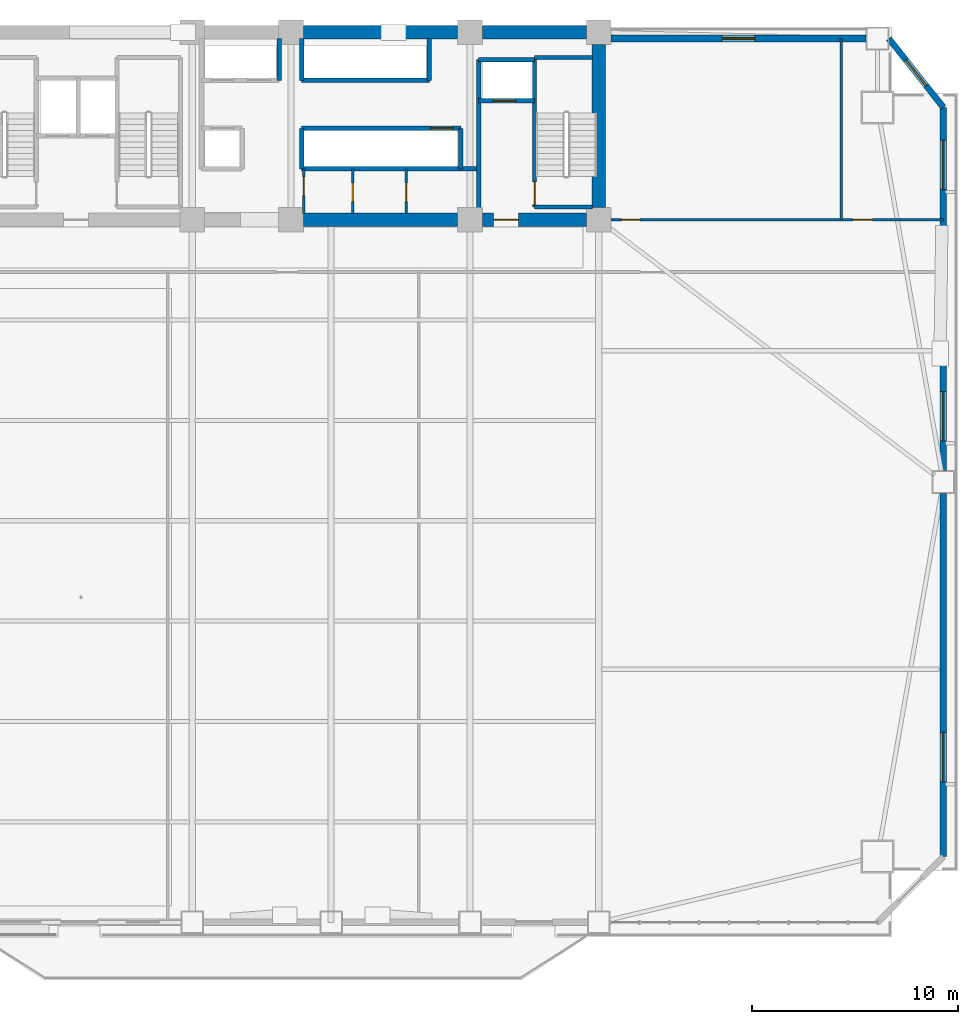
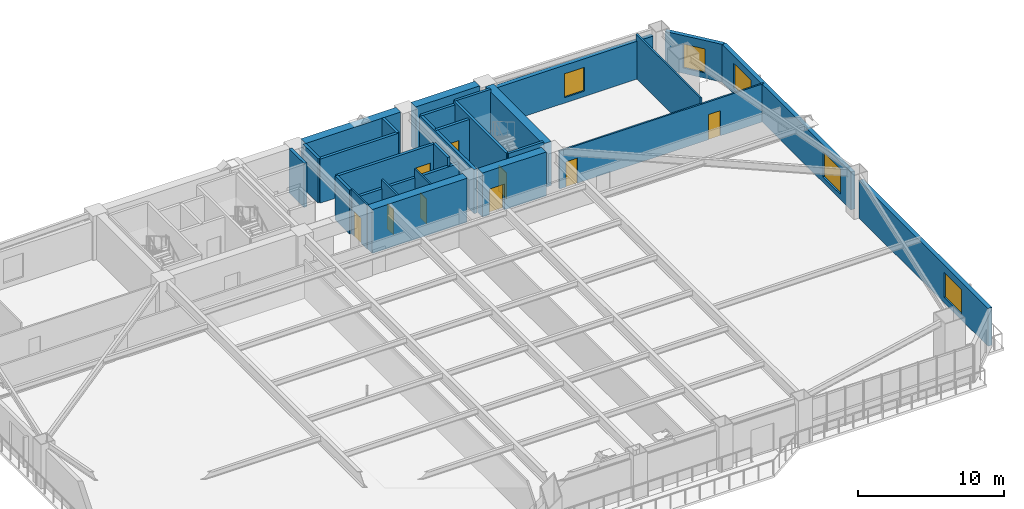
# One storey, part 10 of 17: 28 walls, 9 doors, 5 windows, 14 openings.
"""IFC4 building model written with IfcOpenShell, lengths in metres."""

from ifc_helpers import new_model, si_unit, direction, frame, frame_2d, origin, place, context, subcontext, project, spatial, rectangle, extrude, source, transform, mapped, material, layer, layer_set, type_object, element, fill, save


model = new_model("IFC4")

# Units and contexts
model_context = context("Model", 3, precision=1e-05, world=origin(), true_north=direction((0.0, 1.0)))
body_context = subcontext(model_context, "Body", "Model", "MODEL_VIEW")
ifc_project = project(units=[si_unit("LENGTHUNIT", "METRE"), si_unit("AREAUNIT", "SQUARE_METRE"), si_unit("VOLUMEUNIT", "CUBIC_METRE"), si_unit("PLANEANGLEUNIT", "RADIAN"), si_unit("MASSUNIT", "GRAM", prefix="KILO")], contexts=[model_context])

# Site, building, storey
site_placement = place(None, origin())
site = spatial("IfcSite", under=ifc_project, at=site_placement, CompositionType="ELEMENT")
building_placement = place(site_placement, origin())
building = spatial("IfcBuilding", under=site, at=building_placement, Name="Giltprow Tower", CompositionType="ELEMENT")
storey_placement = place(building_placement, frame((0.0, 0.0, 29.300048828125)))
storey = spatial("IfcBuildingStorey", under=building, at=storey_placement, Name="L07", CompositionType="ELEMENT", Elevation=29.300048828125)

# Wall, opening, window
ifc_material_1 = material(Name="Precast concrete C40", Category="concrete")
ifc_layer_1 = layer(ifc_material_1, 0.300048828125, Name="Precast concrete C40")
ifc_layer_set_1 = layer_set([ifc_layer_1], Name="Precast concrete C40")
wall_type_1 = type_object("IfcWallType", Name="EW-NOTCH-CHAMFER-300", PredefinedType="SOLIDWALL", material=ifc_layer_set_1)
wall_1_placement = place(storey_placement, frame((67.300048828125, 42.89990234375, 0.0), z_axis=(0.0, 0.0, 1.0), x_axis=(-0.620413042185, 0.784275243194, 0.0)))
wall_1 = element("IfcWall", 1, at=wall_1_placement, inside=storey, type_object=wall_type_1, Name="L07 Corner Notch Wall NE", PredefinedType="SOLIDWALL", context=body_context, shape_type="SweptSolid", body=[
    extrude(rectangle(XDim=4.271484375, YDim=0.300048828125, at=frame_2d((2.1357421875, 0.0))), origin(), (0.0, 0.0, 1.0), 3.159912109375),
])
opening_1_placement = place(wall_1_placement, frame((1.3359375, 0.0, 0.449951171875)))
opening_1 = element("IfcOpeningElement", 2, at=opening_1_placement, cuts=wall_1, Name="Opening WN17", PredefinedType="OPENING", context=body_context, shape_type="SweptSolid", body=[
    extrude(rectangle(XDim=1.60009765625, YDim=2.0, at=frame_2d((0.800048828125, 1.0))), frame((0.0, 0.159912109375, 0.0), z_axis=(0.0, -1.0, 0.0), x_axis=(1.0, 0.0, 0.0)), (0.0, 0.0, 1.0), 0.320068359375),
])
ifc_material_2 = material(Name="Insulated glass", Category="glass")
window_type_1 = type_object("IfcWindowType", Name="WN-COR-1600x2000", PartitioningType="SINGLE_PANEL", PredefinedType="WINDOW", material=ifc_material_2)
shared_shape_1 = source(origin(), body_context, "Body", "SweptSolid", [
    extrude(rectangle(XDim=1.60009765625, YDim=2.0, at=frame_2d((0.800048828125, 1.0))), frame((0.0, 0.030029296875, 0.0), z_axis=(0.0, -1.0, 0.0), x_axis=(1.0, 0.0, 0.0)), (0.0, 0.0, 1.0), 0.06005859375),
])
window_1_placement = place(opening_1_placement, origin())
window_1 = element("IfcWindow", 3, at=window_1_placement, inside=storey, type_object=window_type_1, Name="L07 Corner Notch Window NE", OverallHeight=2.0, OverallWidth=1.60009765625, PartitioningType="SINGLE_PANEL", PredefinedType="WINDOW", context=body_context, shape_type="MappedRepresentation", body=[
    mapped(shared_shape_1, transform((0.0, 0.0, 0.0), x_axis=(1.0, 0.0, 0.0), y_axis=(0.0, 1.0, 0.0), z_axis=(0.0, 0.0, 1.0), scale=1.0)),
])
fill(opening_1, window_1)

ifc_layer_2 = layer(ifc_material_1, 0.320068359375, Name="Precast concrete C40")
ifc_layer_set_2 = layer_set([ifc_layer_2], Name="Precast concrete C40")
wall_type_2 = type_object("IfcWallType", Name="EW-TOW-STONE-320", PredefinedType="SOLIDWALL", material=ifc_layer_set_2)
wall_2_placement = place(storey_placement, frame((67.300048828125, 6.5, 0.0), z_axis=(0.0, 0.0, 1.0), x_axis=(0.0, 1.0, 0.0)))
wall_2 = element("IfcWall", 4, at=wall_2_placement, inside=storey, type_object=wall_type_2, Name="L07 E Wing Masonry Wall 1", PredefinedType="SOLIDWALL", context=body_context, shape_type="SweptSolid", body=[
    extrude(rectangle(XDim=17.64990234375, YDim=0.320068359375, at=frame_2d((8.824951171875, 0.0))), origin(), (0.0, 0.0, 1.0), 3.159912109375),
])
opening_2_placement = place(wall_2_placement, frame((3.62890625, 0.0, 0.449951171875)))
opening_2 = element("IfcOpeningElement", 5, at=opening_2_placement, cuts=wall_2, Name="Opening WN29", PredefinedType="OPENING", context=body_context, shape_type="SweptSolid", body=[
    extrude(rectangle(XDim=2.39990234375, YDim=2.10009765625, at=frame_2d((1.199951171875, 1.050048828125))), frame((0.0, 0.169921875, 0.0), z_axis=(0.0, -1.0, 0.0), x_axis=(1.0, 0.0, 0.0)), (0.0, 0.0, 1.0), 0.340087890625),
])
window_type_2 = type_object("IfcWindowType", Name="WN-OFF-2400x2100", PartitioningType="DOUBLE_PANEL_VERTICAL", PredefinedType="WINDOW", material=ifc_material_2)
shared_shape_2 = source(origin(), body_context, "Body", "SweptSolid", [
    extrude(rectangle(XDim=2.39990234375, YDim=2.10009765625, at=frame_2d((1.199951171875, 1.050048828125))), frame((0.0, 0.030029296875, 0.0), z_axis=(0.0, -1.0, 0.0), x_axis=(1.0, 0.0, 0.0)), (0.0, 0.0, 1.0), 0.06005859375),
])
window_2_placement = place(opening_2_placement, origin())
window_2 = element("IfcWindow", 6, at=window_2_placement, inside=storey, type_object=window_type_2, Name="L07 E Wing Window 1-1A", OverallHeight=2.10009765625, OverallWidth=2.39990234375, PartitioningType="SINGLE_PANEL", PredefinedType="WINDOW", context=body_context, shape_type="MappedRepresentation", body=[
    mapped(shared_shape_2, transform((0.0, 0.0, 0.0), x_axis=(1.0, 0.0, 0.0), y_axis=(0.0, 1.0, 0.0), z_axis=(0.0, 0.0, 1.0), scale=1.0)),
])
fill(opening_2, window_2)

# Wall, openings, windows
wall_3_placement = place(storey_placement, frame((67.300048828125, 25.25, 0.0), z_axis=(0.0, 0.0, 1.0), x_axis=(0.0, 1.0, 0.0)))
wall_3 = element("IfcWall", 7, at=wall_3_placement, inside=storey, type_object=wall_type_2, Name="L07 E Wing Masonry Wall 2", PredefinedType="SOLIDWALL", context=body_context, shape_type="SweptSolid", body=[
    extrude(rectangle(XDim=17.64990234375, YDim=0.320068359375, at=frame_2d((8.824951171875, 0.0))), origin(), (0.0, 0.0, 1.0), 3.159912109375),
])
opening_3_placement = place(wall_3_placement, frame((1.446044921875, 0.0, 0.449951171875)))
opening_3 = element("IfcOpeningElement", 8, at=opening_3_placement, cuts=wall_3, Name="Opening WN29", PredefinedType="OPENING", context=body_context, shape_type="SweptSolid", body=[
    extrude(rectangle(XDim=2.39990234375, YDim=2.10009765625, at=frame_2d((1.199951171875, 1.050048828125))), frame((0.0, 0.169921875, 0.0), z_axis=(0.0, -1.0, 0.0), x_axis=(1.0, 0.0, 0.0)), (0.0, 0.0, 1.0), 0.340087890625),
])
opening_4_placement = place(wall_3_placement, frame((13.659912109375, 0.0, 0.449951171875)))
opening_4 = element("IfcOpeningElement", 9, at=opening_4_placement, cuts=wall_3, Name="Opening WN29", PredefinedType="OPENING", context=body_context, shape_type="SweptSolid", body=[
    extrude(rectangle(XDim=2.39990234375, YDim=2.10009765625, at=frame_2d((1.199951171875, 1.050048828125))), frame((0.0, 0.169921875, 0.0), z_axis=(0.0, -1.0, 0.0), x_axis=(1.0, 0.0, 0.0)), (0.0, 0.0, 1.0), 0.340087890625),
])
window_3_placement = place(opening_3_placement, origin())
window_3 = element("IfcWindow", 10, at=window_3_placement, inside=storey, type_object=window_type_2, Name="L07 E Wing Window 2-1", OverallHeight=2.10009765625, OverallWidth=2.39990234375, PartitioningType="SINGLE_PANEL", PredefinedType="WINDOW", context=body_context, shape_type="MappedRepresentation", body=[
    mapped(shared_shape_2, transform((0.0, 0.0, 0.0), x_axis=(1.0, 0.0, 0.0), y_axis=(0.0, 1.0, 0.0), z_axis=(0.0, 0.0, 1.0), scale=1.0)),
])
fill(opening_3, window_3)
window_4_placement = place(opening_4_placement, origin())
window_4 = element("IfcWindow", 11, at=window_4_placement, inside=storey, type_object=window_type_2, Name="L07 E Wing Window 2-2", OverallHeight=2.10009765625, OverallWidth=2.39990234375, PartitioningType="SINGLE_PANEL", PredefinedType="WINDOW", context=body_context, shape_type="MappedRepresentation", body=[
    mapped(shared_shape_2, transform((0.0, 0.0, 0.0), x_axis=(1.0, 0.0, 0.0), y_axis=(0.0, 1.0, 0.0), z_axis=(0.0, 0.0, 1.0), scale=1.0)),
])
fill(opening_4, window_4)

# Wall, opening, window
wall_4_placement = place(storey_placement, frame((51.14990234375, 46.25, 0.0), z_axis=(0.0, 0.0, 1.0), x_axis=(1.0, 0.0, 0.0)))
wall_4 = element("IfcWall", 12, at=wall_4_placement, inside=storey, type_object=wall_type_2, Name="L07 North-East Wing Wall", PredefinedType="SOLIDWALL", context=body_context, shape_type="SweptSolid", body=[
    extrude(rectangle(XDim=12.400146484375, YDim=0.320068359375, at=frame_2d((6.2001953125, 0.0))), origin(), (0.0, 0.0, 1.0), 3.159912109375),
])
opening_5_placement = place(wall_4_placement, frame((5.39990234375, 0.0, 0.449951171875)))
opening_5 = element("IfcOpeningElement", 13, at=opening_5_placement, cuts=wall_4, Name="Opening WN17", PredefinedType="OPENING", context=body_context, shape_type="SweptSolid", body=[
    extrude(rectangle(XDim=1.60009765625, YDim=2.0, at=frame_2d((0.800048828125, 1.0))), frame((0.0, 0.169921875, 0.0), z_axis=(0.0, -1.0, 0.0), x_axis=(1.0, 0.0, 0.0)), (0.0, 0.0, 1.0), 0.340087890625),
])
window_5_placement = place(opening_5_placement, origin())
window_5 = element("IfcWindow", 14, at=window_5_placement, inside=storey, type_object=window_type_1, Name="L07 North-East Window", OverallHeight=2.0, OverallWidth=1.60009765625, PartitioningType="SINGLE_PANEL", PredefinedType="WINDOW", context=body_context, shape_type="MappedRepresentation", body=[
    mapped(shared_shape_1, transform((0.0, 0.0, 0.0), x_axis=(1.0, 0.0, 0.0), y_axis=(0.0, 1.0, 0.0), z_axis=(0.0, 0.0, 1.0), scale=1.0)),
])
fill(opening_5, window_5)

# Wall, opening, door
ifc_material_3 = material(Name="Concrete C40", Category="concrete")
ifc_layer_3 = layer(ifc_material_3, 0.219970703125, Name="Concrete C40")
ifc_layer_set_3 = layer_set([ifc_layer_3], Name="Concrete C40")
wall_type_3 = type_object("IfcWallType", Name="IW-SHAFT-220", PredefinedType="SOLIDWALL", material=ifc_layer_set_3)
wall_5_placement = place(storey_placement, frame((44.719970703125, 43.219970703125, 0.0), z_axis=(0.0, 0.0, 1.0), x_axis=(1.0, 0.0, 0.0)))
wall_5 = element("IfcWall", 15, at=wall_5_placement, inside=storey, type_object=wall_type_3, Name="L07 FFL2 Front Shaft Wall", PredefinedType="SOLIDWALL", context=body_context, shape_type="SweptSolid", body=[
    extrude(rectangle(XDim=2.719970703125, YDim=0.219970703125, at=frame_2d((1.35986328125, 0.0))), origin(), (0.0, 0.0, 1.0), 3.679931640625),
])
opening_6_placement = place(wall_5_placement, frame((0.699951171875, 0.0, 0.0)))
opening_6 = element("IfcOpeningElement", 16, at=opening_6_placement, cuts=wall_5, Name="Opening LD-11", PredefinedType="OPENING", context=body_context, shape_type="SweptSolid", body=[
    extrude(rectangle(XDim=1.10009765625, YDim=2.199951171875, at=frame_2d((0.550048828125, 1.10009765625))), frame((0.0, 0.119873046875, 0.0), z_axis=(0.0, -1.0, 0.0), x_axis=(1.0, 0.0, 0.0)), (0.0, 0.0, 1.0), 0.239990234375),
])
ifc_material_4 = material(Name="Stainless steel", Category="steel")
door_type_1 = type_object("IfcDoorType", Name="DR-LIFT-LD1100", OperationType="SLIDING_TO_LEFT", PredefinedType="DOOR", material=ifc_material_4)
shared_shape_3 = source(origin(), body_context, "Body", "SweptSolid", [
    extrude(rectangle(XDim=1.10009765625, YDim=2.199951171875, at=frame_2d((0.550048828125, 1.10009765625))), frame((0.0, 0.02490234375, 0.0), z_axis=(0.0, -1.0, 0.0), x_axis=(1.0, 0.0, 0.0)), (0.0, 0.0, 1.0), 0.050048828125),
])
door_1_placement = place(opening_6_placement, origin())
door_1 = element("IfcDoor", 17, at=door_1_placement, inside=storey, type_object=door_type_1, Name="L07 FFL2 Landing Door", OperationType="SLIDING_TO_LEFT", OverallHeight=2.199951171875, OverallWidth=1.10009765625, PredefinedType="DOOR", context=body_context, shape_type="MappedRepresentation", body=[
    mapped(shared_shape_3, transform((0.0, 0.0, 0.0), x_axis=(1.0, 0.0, 0.0), y_axis=(0.0, 1.0, 0.0), z_axis=(0.0, 0.0, 1.0), scale=1.0)),
])
fill(opening_6, door_1)

# Walls
wall_6_placement = place(storey_placement, frame((44.719970703125, 45.219970703125, 0.0), z_axis=(0.0, 0.0, 1.0), x_axis=(1.0, 0.0, 0.0)))
element("IfcWall", 18, at=wall_6_placement, inside=storey, type_object=wall_type_3, Name="L07 FFL2 Back Shaft Wall", PredefinedType="SOLIDWALL", context=body_context, shape_type="SweptSolid", body=[
    extrude(rectangle(XDim=2.719970703125, YDim=0.219970703125, at=frame_2d((1.35986328125, 0.0))), origin(), (0.0, 0.0, 1.0), 3.679931640625),
])
wall_7_placement = place(storey_placement, frame((44.719970703125, 37.7548828125, 0.0), z_axis=(0.0, 0.0, 1.0), x_axis=(0.0, 1.0, 0.0)))
element("IfcWall", 19, at=wall_7_placement, inside=storey, type_object=wall_type_3, Name="L07 East Firefighting Lobby West Wall", PredefinedType="SOLIDWALL", context=body_context, shape_type="SweptSolid", body=[
    extrude(rectangle(XDim=7.465087890625, YDim=0.219970703125, at=frame_2d((3.732421875, 0.0))), origin(), (0.0, 0.0, 1.0), 3.679931640625),
])
wall_8_placement = place(storey_placement, frame((36.1201171875, 44.219970703125, 0.0), z_axis=(0.0, 0.0, 1.0), x_axis=(1.0, 0.0, 0.0)))
element("IfcWall", 20, at=wall_8_placement, inside=storey, type_object=wall_type_3, Name="L07 North East Lift Shaft Front Wall", PredefinedType="SOLIDWALL", context=body_context, shape_type="SweptSolid", body=[
    extrude(rectangle(XDim=6.199951171875, YDim=0.219970703125, at=frame_2d((3.10009765625, 0.0))), origin(), (0.0, 0.0, 1.0), 3.679931640625),
])
for number, where, z_axis, x_axis, name in (
    (21, (35.02001953125, 44.219970703125, 0.0), (0.0, 0.0, 1.0), (0.0, 1.0, 0.0), "L07 North West Lift Shaft East Closure"),
    (22, (36.1201171875, 44.219970703125, 0.0), (0.0, 0.0, 1.0), (0.0, 1.0, 0.0), "L07 North East Lift Shaft West Closure"),
    (23, (42.320068359375, 44.219970703125, 0.0), (0.0, 0.0, 1.0), (0.0, 1.0, 0.0), "L07 North East Lift Shaft East Closure"),
):
    element("IfcWall", number, at=place(storey_placement, frame(where, z_axis=z_axis, x_axis=x_axis)), inside=storey, type_object=wall_type_3, Name=name, PredefinedType="SOLIDWALL", context=body_context, shape_type="SweptSolid", body=[
        extrude(rectangle(XDim=2.025146484375, YDim=0.219970703125, at=frame_2d((1.0126953125, 0.0))), origin(), (0.0, 0.0, 1.0), 3.679931640625),
    ])

# Wall, opening, door
wall_9_placement = place(storey_placement, frame((36.1201171875, 41.8798828125, 0.0), z_axis=(0.0, 0.0, 1.0), x_axis=(1.0, 0.0, 0.0)))
wall_9 = element("IfcWall", 24, at=wall_9_placement, inside=storey, type_object=wall_type_3, Name="L07 South East Lift Shaft Front Wall", PredefinedType="SOLIDWALL", context=body_context, shape_type="SweptSolid", body=[
    extrude(rectangle(XDim=7.72998046875, YDim=0.219970703125, at=frame_2d((3.864990234375, 0.0))), origin(), (0.0, 0.0, 1.0), 3.679931640625),
])
opening_7_placement = place(wall_9_placement, frame((6.260009765625, 0.0, 0.0)))
opening_7 = element("IfcOpeningElement", 25, at=opening_7_placement, cuts=wall_9, Name="Opening LD-11", PredefinedType="OPENING", context=body_context, shape_type="SweptSolid", body=[
    extrude(rectangle(XDim=1.10009765625, YDim=2.199951171875, at=frame_2d((0.550048828125, 1.10009765625))), frame((0.0, 0.119873046875, 0.0), z_axis=(0.0, -1.0, 0.0), x_axis=(1.0, 0.0, 0.0)), (0.0, 0.0, 1.0), 0.239990234375),
])
door_2_placement = place(opening_7_placement, origin())
door_2 = element("IfcDoor", 26, at=door_2_placement, inside=storey, type_object=door_type_1, Name="L07 PL-L4 Landing Door", OperationType="SLIDING_TO_LEFT", OverallHeight=2.199951171875, OverallWidth=1.10009765625, PredefinedType="DOOR", context=body_context, shape_type="MappedRepresentation", body=[
    mapped(shared_shape_3, transform((0.0, 0.0, 0.0), x_axis=(1.0, 0.0, 0.0), y_axis=(0.0, 1.0, 0.0), z_axis=(0.0, 0.0, 1.0), scale=1.0)),
])
fill(opening_7, door_2)

# Walls
wall_10_placement = place(storey_placement, frame((36.1201171875, 39.919921875, 0.0), z_axis=(0.0, 0.0, 1.0), x_axis=(1.0, 0.0, 0.0)))
element("IfcWall", 27, at=wall_10_placement, inside=storey, type_object=wall_type_3, Name="L07 Express South Shaft Back Wall", PredefinedType="SOLIDWALL", context=body_context, shape_type="SweptSolid", body=[
    extrude(rectangle(XDim=8.599853515625, YDim=0.219970703125, at=frame_2d((4.2998046875, 0.0))), origin(), (0.0, 0.0, 1.0), 2.96484375),
])
for number, where, z_axis, x_axis, name in (
    (28, (36.1201171875, 39.919921875, 0.0), (0.0, 0.0, 1.0), (0.0, 1.0, 0.0), "L07 Express South Shaft West Closure"),
    (29, (43.85009765625, 39.919921875, 0.0), (0.0, 0.0, 1.0), (0.0, 1.0, 0.0), "L07 Lift Bank South-East Closure"),
):
    element("IfcWall", number, at=place(storey_placement, frame(where, z_axis=z_axis, x_axis=x_axis)), inside=storey, type_object=wall_type_3, Name=name, PredefinedType="SOLIDWALL", context=body_context, shape_type="SweptSolid", body=[
        extrude(rectangle(XDim=1.9599609375, YDim=0.219970703125, at=frame_2d((0.97998046875, 0.0))), origin(), (0.0, 0.0, 1.0), 3.679931640625),
    ])

# Wall, opening, door
ifc_layer_4 = layer(ifc_material_3, 0.199951171875, Name="Concrete C40")
ifc_layer_set_4 = layer_set([ifc_layer_4], Name="Concrete C40")
wall_type_4 = type_object("IfcWallType", Name="IW-STAIR-200", PredefinedType="SOLIDWALL", material=ifc_layer_set_4)
wall_11_placement = place(storey_placement, frame((47.43994140625, 38.070068359375, 0.0), z_axis=(0.0, 0.0, 1.0), x_axis=(0.0, 1.0, 0.0)))
wall_11 = element("IfcWall", 30, at=wall_11_placement, inside=storey, type_object=wall_type_4, Name="L07 Stair ST-3 West Bearing Wall", PredefinedType="SOLIDWALL", context=body_context, shape_type="SweptSolid", body=[
    extrude(rectangle(XDim=7.25, YDim=0.199951171875, at=frame_2d((3.625, 0.0))), origin(), (0.0, 0.0, 1.0), 3.89990234375),
])
opening_8_placement = place(wall_11_placement, frame((0.110107421875, 0.0, 0.0)))
opening_8 = element("IfcOpeningElement", 31, at=opening_8_placement, cuts=wall_11, Name="Opening ID33", PredefinedType="OPENING", context=body_context, shape_type="SweptSolid", body=[
    extrude(rectangle(XDim=1.10009765625, YDim=2.14990234375, at=frame_2d((0.550048828125, 1.074951171875))), frame((0.0, 0.10986328125, 0.0), z_axis=(0.0, -1.0, 0.0), x_axis=(1.0, 0.0, 0.0)), (0.0, 0.0, 1.0), 0.219970703125),
])
ifc_material_5 = material(Name="Steel fire leaf", Category="steel")
door_type_2 = type_object("IfcDoorType", Name="DR-STAIR-1100", OperationType="SINGLE_SWING_LEFT", PredefinedType="DOOR", material=ifc_material_5)
shared_shape_4 = source(origin(), body_context, "Body", "SweptSolid", [
    extrude(rectangle(XDim=1.10009765625, YDim=2.14990234375, at=frame_2d((0.550048828125, 1.074951171875))), frame((0.0, 0.02490234375, 0.0), z_axis=(0.0, -1.0, 0.0), x_axis=(1.0, 0.0, 0.0)), (0.0, 0.0, 1.0), 0.050048828125),
])
door_3_placement = place(opening_8_placement, origin())
door_3 = element("IfcDoor", 32, at=door_3_placement, inside=storey, type_object=door_type_2, Name="L07 Stair ST-3 Fire Door", OperationType="SINGLE_SWING_RIGHT", OverallHeight=2.14990234375, OverallWidth=1.10009765625, PredefinedType="DOOR", context=body_context, shape_type="MappedRepresentation", body=[
    mapped(shared_shape_4, transform((0.0, 0.0, 0.0), x_axis=(1.0, 0.0, 0.0), y_axis=(0.0, 1.0, 0.0), z_axis=(0.0, 0.0, 1.0), scale=1.0)),
])
fill(opening_8, door_3)

# Walls
for number, where, z_axis, x_axis, name in (
    (33, (47.43994140625, 45.320068359375, 0.0), (0.0, 0.0, 1.0), (1.0, 0.0, 0.0), "L07 Stair ST-3 North Bearing Wall"),
    (34, (47.43994140625, 38.070068359375, 0.0), (0.0, 0.0, 1.0), (1.0, 0.0, 0.0), "L07 Stair ST-3 South Bearing Wall"),
):
    element("IfcWall", number, at=place(storey_placement, frame(where, z_axis=z_axis, x_axis=x_axis)), inside=storey, type_object=wall_type_4, Name=name, PredefinedType="SOLIDWALL", context=body_context, shape_type="SweptSolid", body=[
        extrude(rectangle(XDim=2.80517578125, YDim=0.199951171875, at=frame_2d((1.402587890625, 0.0))), origin(), (0.0, 0.0, 1.0), 3.89990234375),
    ])

# Wall, opening, door
ifc_material_6 = material(Name="Concrete C30", Category="concrete")
ifc_layer_5 = layer(ifc_material_6, 0.1298828125, Name="Concrete C30")
ifc_layer_set_5 = layer_set([ifc_layer_5], Name="Concrete C30")
wall_type_5 = type_object("IfcWallType", Name="IW-WET-130", PredefinedType="PARTITIONING", material=ifc_layer_set_5)
wall_12_placement = place(storey_placement, frame((36.219970703125, 37.7548828125, 0.0), z_axis=(0.0, 0.0, 1.0), x_axis=(0.0, 1.0, 0.0)))
wall_12 = element("IfcWall", 35, at=wall_12_placement, inside=storey, type_object=wall_type_5, Name="L07 Core Suite West Wall", PredefinedType="PARTITIONING", context=body_context, shape_type="SweptSolid", body=[
    extrude(rectangle(XDim=2.1650390625, YDim=0.1298828125, at=frame_2d((1.08251953125, 0.0))), origin(), (0.0, 0.0, 1.0), 3.679931640625),
])
opening_9_placement = place(wall_12_placement, frame((0.85498046875, 0.0, 0.0)))
opening_9 = element("IfcOpeningElement", 36, at=opening_9_placement, cuts=wall_12, Name="Opening ID35", PredefinedType="OPENING", context=body_context, shape_type="SweptSolid", body=[
    extrude(rectangle(XDim=0.89990234375, YDim=2.10009765625, at=frame_2d((0.449951171875, 1.050048828125))), frame((0.0, 0.074951171875, 0.0), z_axis=(0.0, -1.0, 0.0), x_axis=(1.0, 0.0, 0.0)), (0.0, 0.0, 1.0), 0.14990234375),
])
door_type_3 = type_object("IfcDoorType", Name="DR-SHAFT-900", OperationType="SINGLE_SWING_LEFT", PredefinedType="DOOR", material=ifc_material_5)
shared_shape_5 = source(origin(), body_context, "Body", "SweptSolid", [
    extrude(rectangle(XDim=0.89990234375, YDim=2.10009765625, at=frame_2d((0.449951171875, 1.050048828125))), frame((0.0, 0.02490234375, 0.0), z_axis=(0.0, -1.0, 0.0), x_axis=(1.0, 0.0, 0.0)), (0.0, 0.0, 1.0), 0.050048828125),
])
door_4_placement = place(opening_9_placement, origin())
door_4 = element("IfcDoor", 37, at=door_4_placement, inside=storey, type_object=door_type_3, Name="L07 Core Washroom 1 Door", OperationType="SINGLE_SWING_RIGHT", OverallHeight=2.10009765625, OverallWidth=0.89990234375, PredefinedType="DOOR", context=body_context, shape_type="MappedRepresentation", body=[
    mapped(shared_shape_5, transform((0.0, 0.0, 0.0), x_axis=(1.0, 0.0, 0.0), y_axis=(0.0, 1.0, 0.0), z_axis=(0.0, 0.0, 1.0), scale=1.0)),
])
fill(opening_9, door_4)

wall_13_placement = place(storey_placement, frame((38.60009765625, 37.7548828125, 0.0), z_axis=(0.0, 0.0, 1.0), x_axis=(0.0, 1.0, 0.0)))
wall_13 = element("IfcWall", 38, at=wall_13_placement, inside=storey, type_object=wall_type_5, Name="L07 Core Suite Divider 1", PredefinedType="PARTITIONING", context=body_context, shape_type="SweptSolid", body=[
    extrude(rectangle(XDim=2.1650390625, YDim=0.1298828125, at=frame_2d((1.08251953125, 0.0))), origin(), (0.0, 0.0, 1.0), 3.679931640625),
])
opening_10_placement = place(wall_13_placement, frame((0.56494140625, 0.0, 0.0)))
opening_10 = element("IfcOpeningElement", 39, at=opening_10_placement, cuts=wall_13, Name="Opening ID35", PredefinedType="OPENING", context=body_context, shape_type="SweptSolid", body=[
    extrude(rectangle(XDim=0.89990234375, YDim=2.10009765625, at=frame_2d((0.449951171875, 1.050048828125))), frame((0.0, 0.074951171875, 0.0), z_axis=(0.0, -1.0, 0.0), x_axis=(1.0, 0.0, 0.0)), (0.0, 0.0, 1.0), 0.14990234375),
])
door_5_placement = place(opening_10_placement, origin())
door_5 = element("IfcDoor", 40, at=door_5_placement, inside=storey, type_object=door_type_3, Name="L07 Core Stationery Room Door", OperationType="SINGLE_SWING_RIGHT", OverallHeight=2.10009765625, OverallWidth=0.89990234375, PredefinedType="DOOR", context=body_context, shape_type="MappedRepresentation", body=[
    mapped(shared_shape_5, transform((0.0, 0.0, 0.0), x_axis=(1.0, 0.0, 0.0), y_axis=(0.0, 1.0, 0.0), z_axis=(0.0, 0.0, 1.0), scale=1.0)),
])
fill(opening_10, door_5)

wall_14_placement = place(storey_placement, frame((41.199951171875, 37.7548828125, 0.0), z_axis=(0.0, 0.0, 1.0), x_axis=(0.0, 1.0, 0.0)))
wall_14 = element("IfcWall", 41, at=wall_14_placement, inside=storey, type_object=wall_type_5, Name="L07 Core Suite Divider 2", PredefinedType="PARTITIONING", context=body_context, shape_type="SweptSolid", body=[
    extrude(rectangle(XDim=2.1650390625, YDim=0.1298828125, at=frame_2d((1.08251953125, 0.0))), origin(), (0.0, 0.0, 1.0), 3.679931640625),
])
opening_11_placement = place(wall_14_placement, frame((0.56494140625, 0.0, 0.0)))
opening_11 = element("IfcOpeningElement", 42, at=opening_11_placement, cuts=wall_14, Name="Opening ID35", PredefinedType="OPENING", context=body_context, shape_type="SweptSolid", body=[
    extrude(rectangle(XDim=0.89990234375, YDim=2.10009765625, at=frame_2d((0.449951171875, 1.050048828125))), frame((0.0, 0.074951171875, 0.0), z_axis=(0.0, -1.0, 0.0), x_axis=(1.0, 0.0, 0.0)), (0.0, 0.0, 1.0), 0.14990234375),
])
door_6_placement = place(opening_11_placement, origin())
door_6 = element("IfcDoor", 43, at=door_6_placement, inside=storey, type_object=door_type_3, Name="L07 Core Archive Room Door", OperationType="SINGLE_SWING_LEFT", OverallHeight=2.10009765625, OverallWidth=0.89990234375, PredefinedType="DOOR", context=body_context, shape_type="MappedRepresentation", body=[
    mapped(shared_shape_5, transform((0.0, 0.0, 0.0), x_axis=(1.0, 0.0, 0.0), y_axis=(0.0, 1.0, 0.0), z_axis=(0.0, 0.0, 1.0), scale=1.0)),
])
fill(opening_11, door_6)

# Wall, openings, doors
wall_15_placement = place(storey_placement, frame((51.14990234375, 37.449951171875, 0.0), z_axis=(0.0, 0.0, 1.0), x_axis=(1.0, 0.0, 0.0)))
wall_15 = element("IfcWall", 44, at=wall_15_placement, inside=storey, type_object=wall_type_5, Name="L07 NE Wing South Wall", PredefinedType="PARTITIONING", context=body_context, shape_type="SweptSolid", body=[
    extrude(rectangle(XDim=16.150146484375, YDim=0.1298828125, at=frame_2d((8.0751953125, 0.0))), origin(), (0.0, 0.0, 1.0), 3.1650390625),
])
opening_12_placement = place(wall_15_placement, frame((0.5, 0.0, 0.0)))
opening_12 = element("IfcOpeningElement", 45, at=opening_12_placement, cuts=wall_15, Name="Opening ID15", PredefinedType="OPENING", context=body_context, shape_type="SweptSolid", body=[
    extrude(rectangle(XDim=0.89990234375, YDim=2.10009765625, at=frame_2d((0.449951171875, 1.050048828125))), frame((0.0, 0.074951171875, 0.0), z_axis=(0.0, -1.0, 0.0), x_axis=(1.0, 0.0, 0.0)), (0.0, 0.0, 1.0), 0.14990234375),
])
opening_13_placement = place(wall_15_placement, frame((11.7451171875, 0.0, 0.0)))
opening_13 = element("IfcOpeningElement", 46, at=opening_13_placement, cuts=wall_15, Name="Opening ID11", PredefinedType="OPENING", context=body_context, shape_type="SweptSolid", body=[
    extrude(rectangle(XDim=0.949951171875, YDim=2.10009765625, at=frame_2d((0.47509765625, 1.050048828125))), frame((0.0, 0.074951171875, 0.0), z_axis=(0.0, -1.0, 0.0), x_axis=(1.0, 0.0, 0.0)), (0.0, 0.0, 1.0), 0.14990234375),
])
ifc_material_7 = material(Name="Engineered timber", Category="wood")
door_type_4 = type_object("IfcDoorType", Name="DR-WC-900", OperationType="SINGLE_SWING_LEFT", PredefinedType="DOOR", material=ifc_material_7)
door_7_placement = place(opening_12_placement, origin())
door_7 = element("IfcDoor", 47, at=door_7_placement, inside=storey, type_object=door_type_4, Name="L07 East Wing Washroom Door", OperationType="SINGLE_SWING_RIGHT", OverallHeight=2.10009765625, OverallWidth=0.89990234375, PredefinedType="DOOR", context=body_context, shape_type="MappedRepresentation", body=[
    mapped(shared_shape_5, transform((0.0, 0.0, 0.0), x_axis=(1.0, 0.0, 0.0), y_axis=(0.0, 1.0, 0.0), z_axis=(0.0, 0.0, 1.0), scale=1.0)),
])
fill(opening_12, door_7)
door_type_5 = type_object("IfcDoorType", Name="DR-ROOM-950", OperationType="SINGLE_SWING_RIGHT", PredefinedType="DOOR", material=ifc_material_7)
shared_shape_6 = source(origin(), body_context, "Body", "SweptSolid", [
    extrude(rectangle(XDim=0.949951171875, YDim=2.10009765625, at=frame_2d((0.47509765625, 1.050048828125))), frame((0.0, 0.02490234375, 0.0), z_axis=(0.0, -1.0, 0.0), x_axis=(1.0, 0.0, 0.0)), (0.0, 0.0, 1.0), 0.050048828125),
])
door_8_placement = place(opening_13_placement, origin())
door_8 = element("IfcDoor", 48, at=door_8_placement, inside=storey, type_object=door_type_5, Name="L07 East Tenant Archive Store Door", OperationType="SINGLE_SWING_RIGHT", OverallHeight=2.10009765625, OverallWidth=0.949951171875, PredefinedType="DOOR", context=body_context, shape_type="MappedRepresentation", body=[
    mapped(shared_shape_6, transform((0.0, 0.0, 0.0), x_axis=(1.0, 0.0, 0.0), y_axis=(0.0, 1.0, 0.0), z_axis=(0.0, 0.0, 1.0), scale=1.0)),
])
fill(opening_13, door_8)

# Walls
wall_16_placement = place(storey_placement, frame((62.344970703125, 37.449951171875, 0.0), z_axis=(0.0, 0.0, 1.0), x_axis=(0.0, 1.0, 0.0)))
element("IfcWall", 49, at=wall_16_placement, inside=storey, type_object=wall_type_5, Name="L07 NE Wing Divider", PredefinedType="PARTITIONING", context=body_context, shape_type="SweptSolid", body=[
    extrude(rectangle(XDim=8.800048828125, YDim=0.1298828125, at=frame_2d((4.39990234375, 0.0))), origin(), (0.0, 0.0, 1.0), 3.679931640625),
])
ifc_material_8 = material(Name="Concrete C60", Category="concrete")
ifc_layer_6 = layer(ifc_material_8, 0.64990234375, Name="Concrete C60")
ifc_layer_set_6 = layer_set([ifc_layer_6], Name="Concrete C60")
wall_type_6 = type_object("IfcWallType", Name="SW-EXT-650-C60", PredefinedType="SHEAR", material=ifc_layer_set_6)
wall_17_placement = place(storey_placement, frame((36.199951171875, 46.550048828125, 0.0), z_axis=(0.0, 0.0, 1.0), x_axis=(1.0, 0.0, 0.0)))
element("IfcWall", 50, at=wall_17_placement, inside=storey, type_object=wall_type_6, Name="L07 North Rear Core Shear Wall 3", PredefinedType="SHEAR", context=body_context, shape_type="SweptSolid", body=[
    extrude(rectangle(XDim=7.5, YDim=0.64990234375, at=frame_2d((3.75, 0.0))), origin(), (0.0, 0.0, 1.0), 3.679931640625),
])
wall_18_placement = place(storey_placement, frame((44.89990234375, 46.550048828125, 0.0), z_axis=(0.0, 0.0, 1.0), x_axis=(1.0, 0.0, 0.0)))
element("IfcWall", 51, at=wall_18_placement, inside=storey, type_object=wall_type_6, Name="L07 North Rear Core Shear Wall 4", PredefinedType="SHEAR", context=body_context, shape_type="SweptSolid", body=[
    extrude(rectangle(XDim=5.050048828125, YDim=0.64990234375, at=frame_2d((2.52490234375, 0.0))), origin(), (0.0, 0.0, 1.0), 3.679931640625),
])
ifc_layer_7 = layer(ifc_material_8, 0.64990234375, Name="Concrete C60")
ifc_layer_set_7 = layer_set([ifc_layer_7], Name="Concrete C60")
wall_type_7 = type_object("IfcWallType", Name="SW-INT-650-C60", PredefinedType="SHEAR", material=ifc_layer_set_7)
wall_19_placement = place(storey_placement, frame((36.199951171875, 37.449951171875, 0.0), z_axis=(0.0, 0.0, 1.0), x_axis=(1.0, 0.0, 0.0)))
element("IfcWall", 52, at=wall_19_placement, inside=storey, type_object=wall_type_7, Name="L07 South Rear Core Shear Wall Mid-East", PredefinedType="SHEAR", context=body_context, shape_type="SweptSolid", body=[
    extrude(rectangle(XDim=7.5, YDim=0.64990234375, at=frame_2d((3.75, 0.0))), origin(), (0.0, 0.0, 1.0), 3.679931640625),
])

# Wall, opening, door
wall_20_placement = place(storey_placement, frame((44.89990234375, 37.449951171875, 0.0), z_axis=(0.0, 0.0, 1.0), x_axis=(1.0, 0.0, 0.0)))
wall_20 = element("IfcWall", 53, at=wall_20_placement, inside=storey, type_object=wall_type_7, Name="L07 South Rear Core Shear Wall East", PredefinedType="SHEAR", context=body_context, shape_type="SweptSolid", body=[
    extrude(rectangle(XDim=5.050048828125, YDim=0.64990234375, at=frame_2d((2.52490234375, 0.0))), origin(), (0.0, 0.0, 1.0), 3.679931640625),
])
opening_14_placement = place(wall_20_placement, frame((0.550048828125, 0.0, 0.0)))
opening_14 = element("IfcOpeningElement", 54, at=opening_14_placement, cuts=wall_20, Name="Opening ID19", PredefinedType="OPENING", context=body_context, shape_type="SweptSolid", body=[
    extrude(rectangle(XDim=1.199951171875, YDim=2.14990234375, at=frame_2d((0.60009765625, 1.074951171875))), frame((0.0, 0.3349609375, 0.0), z_axis=(0.0, -1.0, 0.0), x_axis=(1.0, 0.0, 0.0)), (0.0, 0.0, 1.0), 0.669921875),
])
door_type_6 = type_object("IfcDoorType", Name="DR-FFLOBBY-1200", OperationType="SINGLE_SWING_RIGHT", PredefinedType="DOOR", material=ifc_material_5)
shared_shape_7 = source(origin(), body_context, "Body", "SweptSolid", [
    extrude(rectangle(XDim=1.199951171875, YDim=2.14990234375, at=frame_2d((0.60009765625, 1.074951171875))), frame((0.0, 0.02490234375, 0.0), z_axis=(0.0, -1.0, 0.0), x_axis=(1.0, 0.0, 0.0)), (0.0, 0.0, 1.0), 0.050048828125),
])
door_9_placement = place(opening_14_placement, origin())
door_9 = element("IfcDoor", 55, at=door_9_placement, inside=storey, type_object=door_type_6, Name="L07 East Firefighting Lobby Entry Door", OperationType="SINGLE_SWING_RIGHT", OverallHeight=2.14990234375, OverallWidth=1.199951171875, PredefinedType="DOOR", context=body_context, shape_type="MappedRepresentation", body=[
    mapped(shared_shape_7, transform((0.0, 0.0, 0.0), x_axis=(1.0, 0.0, 0.0), y_axis=(0.0, 1.0, 0.0), z_axis=(0.0, 0.0, 1.0), scale=1.0)),
])
fill(opening_14, door_9)

# Wall
wall_21_placement = place(storey_placement, frame((50.550048828125, 38.050048828125, 0.0), z_axis=(0.0, 0.0, 1.0), x_axis=(0.0, 1.0, 0.0)))
element("IfcWall", 56, at=wall_21_placement, inside=storey, type_object=wall_type_7, Name="L07 E Rear Core Shear Wall", PredefinedType="SHEAR", context=body_context, shape_type="SweptSolid", body=[
    extrude(rectangle(XDim=7.89990234375, YDim=0.64990234375, at=frame_2d((3.949951171875, 0.0))), origin(), (0.0, 0.0, 1.0), 3.679931640625),
])

save(model, "model.ifc")
